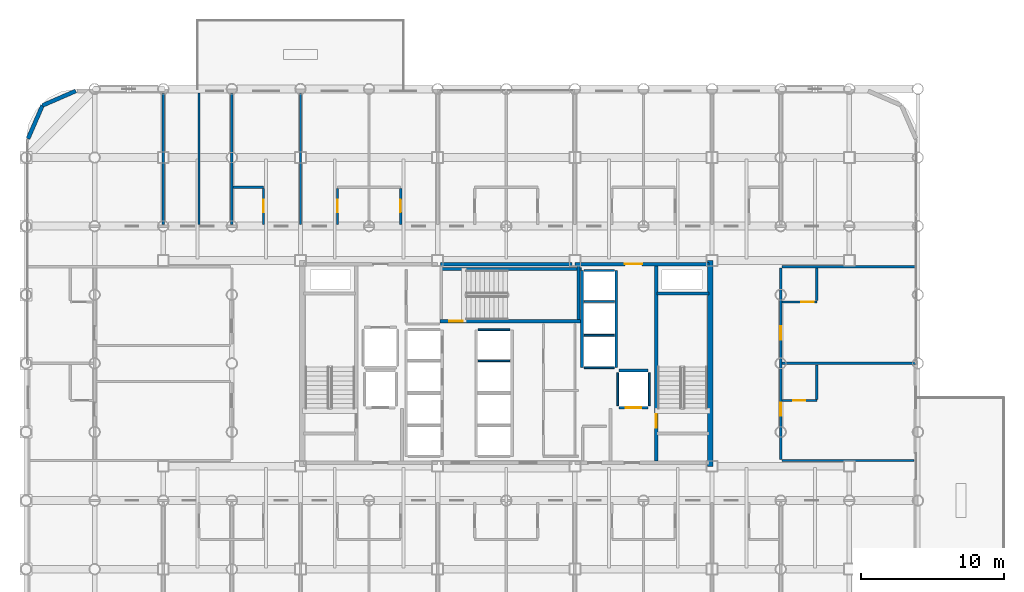
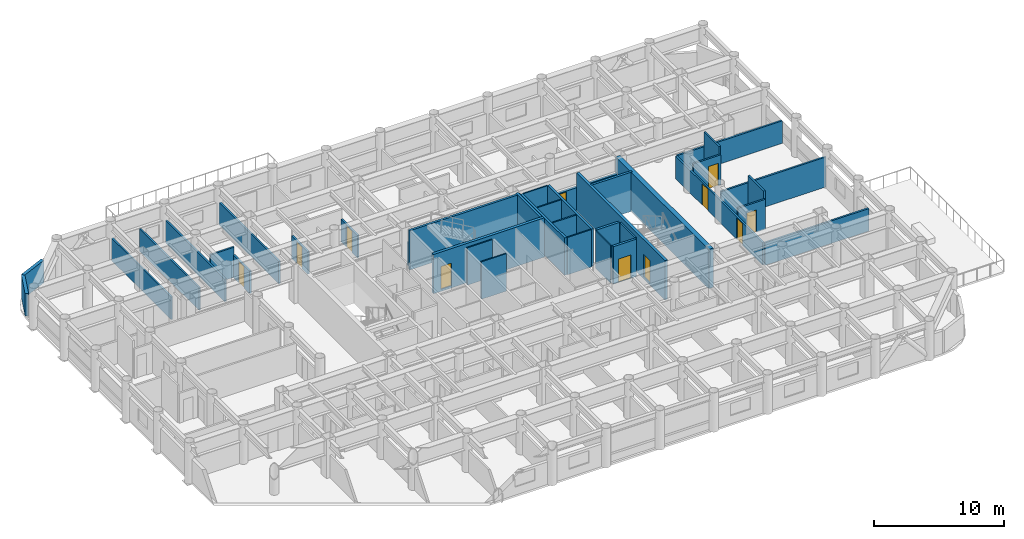
# One storey, part 20 of 24: 38 walls, 11 doors, 11 openings.
"""IFC4 building model written with IfcOpenShell, lengths in metres."""

from ifc_helpers import new_model, si_unit, direction, frame, frame_2d, origin, place, context, subcontext, project, spatial, rectangle, extrude, material, layer, layer_set, type_object, element, fill, save


model = new_model("IFC4")

# Units and contexts
model_context = context("Model", 3, precision=1e-05, world=origin(), true_north=direction((0.0, 1.0)))
body_context = subcontext(model_context, "Body", "Model", "MODEL_VIEW")
ifc_project = project(units=[si_unit("LENGTHUNIT", "METRE"), si_unit("AREAUNIT", "SQUARE_METRE"), si_unit("VOLUMEUNIT", "CUBIC_METRE"), si_unit("PLANEANGLEUNIT", "RADIAN"), si_unit("MASSUNIT", "GRAM", prefix="KILO")], contexts=[model_context])

# Site, building, storey
site_placement = place(None, origin())
site = spatial("IfcSite", under=ifc_project, at=site_placement, CompositionType="ELEMENT")
building_placement = place(site_placement, origin())
building = spatial("IfcBuilding", under=site, at=building_placement, Name="Kallvorn Hotel Tower", CompositionType="ELEMENT")
storey_placement = place(building_placement, frame((0.0, 0.0, 30.0)))
storey = spatial("IfcBuildingStorey", under=building, at=storey_placement, Name="L05", CompositionType="ELEMENT", Elevation=30.0)

# Walls
ifc_material_1 = material(Name="Concrete C50/60", Category="concrete")
ifc_layer_1 = layer(ifc_material_1, 0.39990234375)
ifc_layer_set_1 = layer_set([ifc_layer_1], Name="WL_CORE_400")
wall_type_1 = type_object("IfcWallType", Name="WL_CORE_400", PredefinedType="SHEAR", material=ifc_layer_set_1)
wall_1_placement = place(storey_placement, frame((14.264892578125, -7.199951171875, -0.179931640625), z_axis=(0.0, 0.0, 1.0), x_axis=(0.0, 1.0, 0.0)))
element("IfcWall", 1, at=wall_1_placement, inside=storey, type_object=wall_type_1, Name="L05 Core East Shear Wall", PredefinedType="SHEAR", context=body_context, shape_type="SweptSolid", body=[
    extrude(rectangle(XDim=14.39990234375, YDim=0.39990234375, at=frame_2d((7.199951171875, 0.0))), origin(), (0.0, 0.0, 1.0), 3.699951171875),
])
ifc_material_2 = material(Name="Fire-rated double-layer acoustic gypsum drywall EI 60")
ifc_layer_2 = layer(ifc_material_2, 0.159912109375)
ifc_layer_set_2 = layer_set([ifc_layer_2], Name="WL_DEMISE_160")
wall_type_2 = type_object("IfcWallType", Name="WL_DEMISE_160", PredefinedType="PARTITIONING", material=ifc_layer_set_2)
wall_2_placement = place(storey_placement, frame((19.280029296875, -6.800048828125, 0.0), z_axis=(0.0, 0.0, 1.0), x_axis=(1.0, 0.0, 0.0)))
element("IfcWall", 2, at=wall_2_placement, inside=storey, type_object=wall_type_2, Name="L05 Suite 503 E Loggia King Room Partition", PredefinedType="PARTITIONING", context=body_context, shape_type="SweptSolid", body=[
    extrude(rectangle(XDim=9.22998046875, YDim=0.159912109375, at=frame_2d((4.614990234375, 0.0))), origin(), (0.0, 0.0, 1.0), 2.1201171875),
])

# Wall, opening, door
wall_3_placement = place(storey_placement, frame((19.280029296875, -2.60009765625, 0.0), z_axis=(0.0, 0.0, 1.0), x_axis=(1.0, 0.0, 0.0)))
wall_3 = element("IfcWall", 3, at=wall_3_placement, inside=storey, type_object=wall_type_2, Name="L05 Suite 503 E Loggia King Room Partition", PredefinedType="PARTITIONING", context=body_context, shape_type="SweptSolid", body=[
    extrude(rectangle(XDim=2.449951171875, YDim=0.159912109375, at=frame_2d((1.22509765625, 0.0))), origin(), (0.0, 0.0, 1.0), 2.820068359375),
])
opening_1_placement = place(wall_3_placement, frame((0.794921875, 0.0, 0.0)))
opening_1 = element("IfcOpeningElement", 4, at=opening_1_placement, cuts=wall_3, Name="Opening BD-I", PredefinedType="OPENING", context=body_context, shape_type="SweptSolid", body=[
    extrude(rectangle(XDim=0.860107421875, YDim=2.10009765625, at=frame_2d((0.43017578125, 1.050048828125))), frame((0.0, 0.094970703125, 0.0), z_axis=(0.0, -1.0, 0.0), x_axis=(1.0, 0.0, 0.0)), (0.0, 0.0, 1.0), 0.18994140625),
])
ifc_material_3 = material(Name="Solid-core walnut veneer fire-rated timber door leaf", Category="wood")
door_type_1 = type_object("IfcDoorType", Name="DR_BATH_860x2100", OperationType="NOTDEFINED", PredefinedType="DOOR", material=ifc_material_3)
door_1_placement = place(opening_1_placement, origin())
door_1 = element("IfcDoor", 5, at=door_1_placement, inside=storey, type_object=door_type_1, Name="L05 Suite 503 En-Suite Bathroom Door", OperationType="SINGLE_SWING_RIGHT", OverallHeight=2.10009765625, OverallWidth=0.860107421875, PredefinedType="DOOR", context=body_context, shape_type="SweptSolid", body=[
    extrude(rectangle(XDim=0.860107421875, YDim=2.10009765625, at=frame_2d((0.43017578125, 1.050048828125))), frame((0.0, 0.02490234375, 0.0), z_axis=(0.0, -1.0, 0.0), x_axis=(1.0, 0.0, 0.0)), (0.0, 0.0, 1.0), 0.050048828125),
])
fill(opening_1, door_1)

# Wall
wall_4_placement = place(storey_placement, frame((19.280029296875, 0.0, 0.0), z_axis=(0.0, 0.0, 1.0), x_axis=(1.0, 0.0, 0.0)))
element("IfcWall", 6, at=wall_4_placement, inside=storey, type_object=wall_type_2, Name="L05 Suite 504 E Andean Twin Room Partition", PredefinedType="PARTITIONING", context=body_context, shape_type="SweptSolid", body=[
    extrude(rectangle(XDim=9.349853515625, YDim=0.159912109375, at=frame_2d((4.6748046875, 0.0))), origin(), (0.0, 0.0, 1.0), 2.820068359375),
])

# Wall, opening, door
wall_5_placement = place(storey_placement, frame((19.280029296875, 4.300048828125, 0.0), z_axis=(0.0, 0.0, 1.0), x_axis=(1.0, 0.0, 0.0)))
wall_5 = element("IfcWall", 7, at=wall_5_placement, inside=storey, type_object=wall_type_2, Name="L05 Suite 504 E Andean Twin Room Partition", PredefinedType="PARTITIONING", context=body_context, shape_type="SweptSolid", body=[
    extrude(rectangle(XDim=2.449951171875, YDim=0.159912109375, at=frame_2d((1.22509765625, 0.0))), origin(), (0.0, 0.0, 1.0), 2.820068359375),
])
opening_2_placement = place(wall_5_placement, frame((1.3701171875, 0.0, 0.0)))
opening_2 = element("IfcOpeningElement", 8, at=opening_2_placement, cuts=wall_5, Name="Opening BD-I", PredefinedType="OPENING", context=body_context, shape_type="SweptSolid", body=[
    extrude(rectangle(XDim=0.860107421875, YDim=2.10009765625, at=frame_2d((0.43017578125, 1.050048828125))), frame((0.0, 0.094970703125, 0.0), z_axis=(0.0, -1.0, 0.0), x_axis=(1.0, 0.0, 0.0)), (0.0, 0.0, 1.0), 0.18994140625),
])
door_2_placement = place(opening_2_placement, origin())
door_2 = element("IfcDoor", 9, at=door_2_placement, inside=storey, type_object=door_type_1, Name="L05 Suite 504 En-Suite Bathroom Door", OperationType="SINGLE_SWING_RIGHT", OverallHeight=2.10009765625, OverallWidth=0.860107421875, PredefinedType="DOOR", context=body_context, shape_type="SweptSolid", body=[
    extrude(rectangle(XDim=0.860107421875, YDim=2.10009765625, at=frame_2d((0.43017578125, 1.050048828125))), frame((0.0, 0.02490234375, 0.0), z_axis=(0.0, -1.0, 0.0), x_axis=(1.0, 0.0, 0.0)), (0.0, 0.0, 1.0), 0.050048828125),
])
fill(opening_2, door_2)

# Walls
wall_6_placement = place(storey_placement, frame((19.280029296875, 6.75830078125, 0.0), z_axis=(0.0, 0.0, 1.0), x_axis=(1.0, 0.0, 0.0)))
element("IfcWall", 10, at=wall_6_placement, inside=storey, type_object=wall_type_2, Name="L05 Suite 504 E Andean Twin Room Partition", PredefinedType="PARTITIONING", context=body_context, shape_type="SweptSolid", body=[
    extrude(rectangle(XDim=9.349853515625, YDim=0.159912109375, at=frame_2d((4.6748046875, 0.0))), origin(), (0.0, 0.0, 1.0), 2.1201171875),
])
wall_7_placement = place(storey_placement, frame((-19.1201171875, 12.320068359375, 0.0), z_axis=(0.0, 0.0, 1.0), x_axis=(1.0, 0.0, 0.0)))
element("IfcWall", 11, at=wall_7_placement, inside=storey, type_object=wall_type_2, Name="L05 Suite 514 Standard Twin Room Partition", PredefinedType="PARTITIONING", context=body_context, shape_type="SweptSolid", body=[
    extrude(rectangle(XDim=2.130126953125, YDim=0.159912109375, at=frame_2d((1.06494140625, 0.0))), origin(), (0.0, 0.0, 1.0), 2.820068359375),
])
wall_8_placement = place(storey_placement, frame((-19.199951171875, 9.719970703125, 0.0), z_axis=(0.0, 0.0, 1.0), x_axis=(0.0, 1.0, 0.0)))
element("IfcWall", 12, at=wall_8_placement, inside=storey, type_object=wall_type_2, Name="L05 Suite 514 Standard Twin Room Partition", PredefinedType="PARTITIONING", context=body_context, shape_type="SweptSolid", body=[
    extrude(rectangle(XDim=9.18994140625, YDim=0.159912109375, at=frame_2d((4.594970703125, 0.0))), origin(), (0.0, 0.0, 1.0), 2.1201171875),
])

# Wall, opening, door
wall_9_placement = place(storey_placement, frame((-16.989990234375, 9.719970703125, 0.0), z_axis=(0.0, 0.0, 1.0), x_axis=(0.0, 1.0, 0.0)))
wall_9 = element("IfcWall", 13, at=wall_9_placement, inside=storey, type_object=wall_type_2, Name="L05 Suite 514 Standard Twin Room Partition", PredefinedType="PARTITIONING", context=body_context, shape_type="SweptSolid", body=[
    extrude(rectangle(XDim=2.51513671875, YDim=0.159912109375, at=frame_2d((1.257568359375, 0.0))), origin(), (0.0, 0.0, 1.0), 2.1201171875),
])
opening_3_placement = place(wall_9_placement, frame((0.8701171875, 0.0, 0.0)))
opening_3 = element("IfcOpeningElement", 14, at=opening_3_placement, cuts=wall_9, Name="Opening BD-IA", PredefinedType="OPENING", context=body_context, shape_type="SweptSolid", body=[
    extrude(rectangle(XDim=0.860107421875, YDim=2.02001953125, at=frame_2d((0.43017578125, 1.010009765625))), frame((0.0, 0.094970703125, 0.0), z_axis=(0.0, -1.0, 0.0), x_axis=(1.0, 0.0, 0.0)), (0.0, 0.0, 1.0), 0.18994140625),
])
ifc_material_4 = material(Name="Solid-core walnut veneer fire-rated timber door leaf", Category="wood")
door_type_2 = type_object("IfcDoorType", Name="DR_BATH_860x2020", OperationType="NOTDEFINED", PredefinedType="DOOR", material=ifc_material_4)
door_3_placement = place(opening_3_placement, origin())
door_3 = element("IfcDoor", 15, at=door_3_placement, inside=storey, type_object=door_type_2, Name="L05 Suite 514 En-Suite Bathroom Door", OperationType="SINGLE_SWING_RIGHT", OverallHeight=2.02001953125, OverallWidth=0.860107421875, PredefinedType="DOOR", context=body_context, shape_type="SweptSolid", body=[
    extrude(rectangle(XDim=0.860107421875, YDim=2.02001953125, at=frame_2d((0.43017578125, 1.010009765625))), frame((0.0, 0.02490234375, 0.0), z_axis=(0.0, -1.0, 0.0), x_axis=(1.0, 0.0, 0.0)), (0.0, 0.0, 1.0), 0.050048828125),
])
fill(opening_3, door_3)

# Wall
wall_10_placement = place(storey_placement, frame((-14.39990234375, 9.719970703125, 0.0), z_axis=(0.0, 0.0, 1.0), x_axis=(0.0, 1.0, 0.0)))
element("IfcWall", 16, at=wall_10_placement, inside=storey, type_object=wall_type_2, Name="L05 Suite 514 Standard Twin Room Partition", PredefinedType="PARTITIONING", context=body_context, shape_type="SweptSolid", body=[
    extrude(rectangle(XDim=9.18994140625, YDim=0.159912109375, at=frame_2d((4.594970703125, 0.0))), origin(), (0.0, 0.0, 1.0), 2.1201171875),
])

# Wall, opening, door
wall_11_placement = place(storey_placement, frame((-11.81005859375, 9.719970703125, 0.0), z_axis=(0.0, 0.0, 1.0), x_axis=(0.0, 1.0, 0.0)))
wall_11 = element("IfcWall", 17, at=wall_11_placement, inside=storey, type_object=wall_type_2, Name="L05 Suite 515 Standard Twin Room Partition", PredefinedType="PARTITIONING", context=body_context, shape_type="SweptSolid", body=[
    extrude(rectangle(XDim=2.51513671875, YDim=0.159912109375, at=frame_2d((1.257568359375, 0.0))), origin(), (0.0, 0.0, 1.0), 2.1201171875),
])
opening_4_placement = place(wall_11_placement, frame((0.8701171875, 0.0, 0.0)))
opening_4 = element("IfcOpeningElement", 18, at=opening_4_placement, cuts=wall_11, Name="Opening BD-IA", PredefinedType="OPENING", context=body_context, shape_type="SweptSolid", body=[
    extrude(rectangle(XDim=0.860107421875, YDim=2.02001953125, at=frame_2d((0.43017578125, 1.010009765625))), frame((0.0, 0.094970703125, 0.0), z_axis=(0.0, -1.0, 0.0), x_axis=(1.0, 0.0, 0.0)), (0.0, 0.0, 1.0), 0.18994140625),
])
door_4_placement = place(opening_4_placement, origin())
door_4 = element("IfcDoor", 19, at=door_4_placement, inside=storey, type_object=door_type_2, Name="L05 Suite 515 En-Suite Bathroom Door", OperationType="SINGLE_SWING_RIGHT", OverallHeight=2.02001953125, OverallWidth=0.860107421875, PredefinedType="DOOR", context=body_context, shape_type="SweptSolid", body=[
    extrude(rectangle(XDim=0.860107421875, YDim=2.02001953125, at=frame_2d((0.43017578125, 1.010009765625))), frame((0.0, 0.02490234375, 0.0), z_axis=(0.0, -1.0, 0.0), x_axis=(1.0, 0.0, 0.0)), (0.0, 0.0, 1.0), 0.050048828125),
])
fill(opening_4, door_4)

wall_12_placement = place(storey_placement, frame((-7.389892578125, 9.719970703125, 0.0), z_axis=(0.0, 0.0, 1.0), x_axis=(0.0, 1.0, 0.0)))
wall_12 = element("IfcWall", 20, at=wall_12_placement, inside=storey, type_object=wall_type_2, Name="L05 Suite 516 Standard Twin Room Partition", PredefinedType="PARTITIONING", context=body_context, shape_type="SweptSolid", body=[
    extrude(rectangle(XDim=2.51513671875, YDim=0.159912109375, at=frame_2d((1.257568359375, 0.0))), origin(), (0.0, 0.0, 1.0), 2.1201171875),
])
opening_5_placement = place(wall_12_placement, frame((0.8701171875, 0.0, 0.0)))
opening_5 = element("IfcOpeningElement", 21, at=opening_5_placement, cuts=wall_12, Name="Opening BD-IA", PredefinedType="OPENING", context=body_context, shape_type="SweptSolid", body=[
    extrude(rectangle(XDim=0.860107421875, YDim=2.02001953125, at=frame_2d((0.43017578125, 1.010009765625))), frame((0.0, 0.094970703125, 0.0), z_axis=(0.0, -1.0, 0.0), x_axis=(1.0, 0.0, 0.0)), (0.0, 0.0, 1.0), 0.18994140625),
])
door_5_placement = place(opening_5_placement, origin())
door_5 = element("IfcDoor", 22, at=door_5_placement, inside=storey, type_object=door_type_2, Name="L05 Suite 516 En-Suite Bathroom Door", OperationType="SINGLE_SWING_LEFT", OverallHeight=2.02001953125, OverallWidth=0.860107421875, PredefinedType="DOOR", context=body_context, shape_type="SweptSolid", body=[
    extrude(rectangle(XDim=0.860107421875, YDim=2.02001953125, at=frame_2d((0.43017578125, 1.010009765625))), frame((0.0, 0.02490234375, 0.0), z_axis=(0.0, -1.0, 0.0), x_axis=(1.0, 0.0, 0.0)), (0.0, 0.0, 1.0), 0.050048828125),
])
fill(opening_5, door_5)

# Wall, openings, doors
wall_13_placement = place(storey_placement, frame((19.199951171875, -6.715087890625, 0.0), z_axis=(0.0, 0.0, 1.0), x_axis=(0.0, 1.0, 0.0)))
wall_13 = element("IfcWall", 23, at=wall_13_placement, inside=storey, type_object=wall_type_2, Name="L05 Suite 503 E Loggia King Room Partition", PredefinedType="PARTITIONING", context=body_context, shape_type="SweptSolid", body=[
    extrude(rectangle(XDim=13.388427734375, YDim=0.159912109375, at=frame_2d((6.6943359375, 0.0))), origin(), (0.0, 0.0, 1.0), 2.1201171875),
])
opening_6_placement = place(wall_13_placement, frame((3.034912109375, 0.0, 0.0)))
opening_6 = element("IfcOpeningElement", 24, at=opening_6_placement, cuts=wall_13, Name="Opening GD1A", PredefinedType="OPENING", context=body_context, shape_type="SweptSolid", body=[
    extrude(rectangle(XDim=0.919921875, YDim=2.02001953125, at=frame_2d((0.4599609375, 1.010009765625))), frame((0.0, 0.094970703125, 0.0), z_axis=(0.0, -1.0, 0.0), x_axis=(1.0, 0.0, 0.0)), (0.0, 0.0, 1.0), 0.18994140625),
])
opening_7_placement = place(wall_13_placement, frame((8.385009765625, 0.0, 0.0)))
opening_7 = element("IfcOpeningElement", 25, at=opening_7_placement, cuts=wall_13, Name="Opening GD1A", PredefinedType="OPENING", context=body_context, shape_type="SweptSolid", body=[
    extrude(rectangle(XDim=0.919921875, YDim=2.02001953125, at=frame_2d((0.4599609375, 1.010009765625))), frame((0.0, 0.094970703125, 0.0), z_axis=(0.0, -1.0, 0.0), x_axis=(1.0, 0.0, 0.0)), (0.0, 0.0, 1.0), 0.18994140625),
])
ifc_material_5 = material(Name="Solid-core walnut veneer fire-rated timber door leaf", Category="wood")
door_type_3 = type_object("IfcDoorType", Name="DR_GUEST_920x2020", OperationType="NOTDEFINED", PredefinedType="DOOR", material=ifc_material_5)
door_6_placement = place(opening_6_placement, origin())
door_6 = element("IfcDoor", 26, at=door_6_placement, inside=storey, type_object=door_type_3, Name="L05 Suite 503 E Loggia King Room Door", OperationType="SINGLE_SWING_RIGHT", OverallHeight=2.02001953125, OverallWidth=0.919921875, PredefinedType="DOOR", context=body_context, shape_type="SweptSolid", body=[
    extrude(rectangle(XDim=0.919921875, YDim=2.02001953125, at=frame_2d((0.4599609375, 1.010009765625))), frame((0.0, 0.02490234375, 0.0), z_axis=(0.0, -1.0, 0.0), x_axis=(1.0, 0.0, 0.0)), (0.0, 0.0, 1.0), 0.050048828125),
])
fill(opening_6, door_6)
door_7_placement = place(opening_7_placement, origin())
door_7 = element("IfcDoor", 27, at=door_7_placement, inside=storey, type_object=door_type_3, Name="L05 Suite 504 E Andean Twin Room Door", OperationType="SINGLE_SWING_LEFT", OverallHeight=2.02001953125, OverallWidth=0.919921875, PredefinedType="DOOR", context=body_context, shape_type="SweptSolid", body=[
    extrude(rectangle(XDim=0.919921875, YDim=2.02001953125, at=frame_2d((0.4599609375, 1.010009765625))), frame((0.0, 0.02490234375, 0.0), z_axis=(0.0, -1.0, 0.0), x_axis=(1.0, 0.0, 0.0)), (0.0, 0.0, 1.0), 0.050048828125),
])
fill(opening_7, door_7)

# Walls
wall_14_placement = place(storey_placement, frame((21.72998046875, -2.514892578125, 0.0), z_axis=(0.0, 0.0, 1.0), x_axis=(0.0, 1.0, 0.0)))
element("IfcWall", 28, at=wall_14_placement, inside=storey, type_object=wall_type_2, Name="L05 Suite 503 E Loggia King Room Partition", PredefinedType="PARTITIONING", context=body_context, shape_type="SweptSolid", body=[
    extrude(rectangle(XDim=2.414794921875, YDim=0.159912109375, at=frame_2d((1.20751953125, 0.0))), origin(), (0.0, 0.0, 1.0), 3.52001953125),
])
wall_15_placement = place(storey_placement, frame((21.72998046875, 4.385009765625, 0.0), z_axis=(0.0, 0.0, 1.0), x_axis=(0.0, 1.0, 0.0)))
element("IfcWall", 29, at=wall_15_placement, inside=storey, type_object=wall_type_2, Name="L05 Suite 504 E Andean Twin Room Partition", PredefinedType="PARTITIONING", context=body_context, shape_type="SweptSolid", body=[
    extrude(rectangle(XDim=2.288330078125, YDim=0.159912109375, at=frame_2d((1.14404296875, 0.0))), origin(), (0.0, 0.0, 1.0), 3.52001953125),
])
ifc_material_6 = material(Name="Precast basalt-clad insulated concrete wall C40/50", Category="masonry")
ifc_layer_3 = layer(ifc_material_6, 0.280029296875)
ifc_layer_set_3 = layer_set([ifc_layer_3], Name="WL_EXT_LOGGIA_280")
wall_type_3 = type_object("IfcWallType", Name="WL_EXT_LOGGIA_280", PredefinedType="SOLIDWALL", material=ifc_layer_set_3)
wall_16_placement = place(storey_placement, frame((-30.120849609375, 19.057861328125, 0.0), z_axis=(0.0, 0.0, 1.0), x_axis=(-0.917060872934, -0.398747232384, 0.0)))
element("IfcWall", 30, at=wall_16_placement, inside=storey, type_object=wall_type_3, Name="L05 Rounded Corner Exterior Wall NW1", PredefinedType="SOLIDWALL", context=body_context, shape_type="SweptSolid", body=[
    extrude(rectangle(XDim=2.5361328125, YDim=0.280029296875, at=frame_2d((1.26806640625, 0.0))), origin(), (0.0, 0.0, 1.0), 2.1201171875),
])
wall_17_placement = place(storey_placement, frame((-32.446533203125, 18.046630859375, 0.0), z_axis=(0.0, 0.0, 1.0), x_axis=(-0.398792985289, -0.917040977756, 0.0)))
element("IfcWall", 31, at=wall_17_placement, inside=storey, type_object=wall_type_3, Name="L05 Rounded Corner Exterior Wall NW2", PredefinedType="SOLIDWALL", context=body_context, shape_type="SweptSolid", body=[
    extrude(rectangle(XDim=2.536376953125, YDim=0.280029296875, at=frame_2d((1.26806640625, 0.0))), origin(), (0.0, 0.0, 1.0), 2.1201171875),
])
ifc_material_7 = material(Name="Concrete C40/50", Category="concrete")
ifc_layer_4 = layer(ifc_material_7, 0.199951171875)
ifc_layer_set_4 = layer_set([ifc_layer_4], Name="WL_HOIST_200")
wall_type_4 = type_object("IfcWallType", Name="WL_HOIST_200", PredefinedType="SOLIDWALL", material=ifc_layer_set_4)
wall_18_placement = place(storey_placement, frame((10.550048828125, 4.89990234375, -0.179931640625), z_axis=(0.0, 0.0, 1.0), x_axis=(1.0, 0.0, 0.0)))
element("IfcWall", 32, at=wall_18_placement, inside=storey, type_object=wall_type_4, Name="L05 Stair ST2 North Wall", PredefinedType="SOLIDWALL", context=body_context, shape_type="SweptSolid", body=[
    extrude(rectangle(XDim=3.64990234375, YDim=0.199951171875, at=frame_2d((1.824951171875, 0.0))), origin(), (0.0, 0.0, 1.0), 3.699951171875),
])
wall_19_placement = place(storey_placement, frame((-4.64990234375, 6.610107421875, -0.179931640625), z_axis=(0.0, 0.0, 1.0), x_axis=(1.0, 0.0, 0.0)))
element("IfcWall", 33, at=wall_19_placement, inside=storey, type_object=wall_type_4, Name="L05 Stair ST3 Shaft North Wall", PredefinedType="SOLIDWALL", context=body_context, shape_type="SweptSolid", body=[
    extrude(rectangle(XDim=9.89990234375, YDim=0.199951171875, at=frame_2d((4.949951171875, 0.0))), origin(), (0.0, 0.0, 1.0), 3.699951171875),
])
wall_20_placement = place(storey_placement, frame((5.06005859375, 3.080078125, -0.179931640625), z_axis=(0.0, 0.0, 1.0), x_axis=(0.0, 1.0, 0.0)))
element("IfcWall", 34, at=wall_20_placement, inside=storey, type_object=wall_type_4, Name="L05 Stair ST3 East Wall", PredefinedType="SOLIDWALL", context=body_context, shape_type="SweptSolid", body=[
    extrude(rectangle(XDim=3.739990234375, YDim=0.199951171875, at=frame_2d((1.8701171875, 0.0))), origin(), (0.0, 0.0, 1.0), 3.699951171875),
])
for number, where, z_axis, x_axis, name in (
    (35, (7.699951171875, -0.300048828125, 0.0), (0.0, 0.0, 1.0), (0.0, 1.0, 0.0), "L05 Lift Bank OBS Landing Wall"),
    (36, (5.300048828125, -0.300048828125, 0.0), (0.0, 0.0, 1.0), (0.0, 1.0, 0.0), "L05 Lift Bank OBS Rear Shaft Wall"),
):
    element("IfcWall", number, at=place(storey_placement, frame(where, z_axis=z_axis, x_axis=x_axis)), inside=storey, type_object=wall_type_4, Name=name, PredefinedType="SOLIDWALL", context=body_context, shape_type="SweptSolid", body=[
        extrude(rectangle(XDim=6.800048828125, YDim=0.199951171875, at=frame_2d((3.39990234375, 0.0))), origin(), (0.0, 0.0, 1.0), 3.52001953125),
    ])

# Wall, opening, door
wall_21_placement = place(storey_placement, frame((7.8798828125, -3.10009765625, 0.0), z_axis=(0.0, 0.0, 1.0), x_axis=(1.0, 0.0, 0.0)))
wall_21 = element("IfcWall", 37, at=wall_21_placement, inside=storey, type_object=wall_type_4, Name="L05 FL-2 Landing Wall", PredefinedType="SOLIDWALL", context=body_context, shape_type="SweptSolid", body=[
    extrude(rectangle(XDim=2.0400390625, YDim=0.199951171875, at=frame_2d((1.02001953125, 0.0))), origin(), (0.0, 0.0, 1.0), 3.52001953125),
])
opening_8_placement = place(wall_21_placement, frame((0.469970703125, 0.0, 0.0)))
opening_8 = element("IfcOpeningElement", 38, at=opening_8_placement, cuts=wall_21, Name="Opening LD-FL-2", PredefinedType="OPENING", context=body_context, shape_type="SweptSolid", body=[
    extrude(rectangle(XDim=1.10009765625, YDim=2.199951171875, at=frame_2d((0.550048828125, 1.10009765625))), frame((0.0, 0.114990234375, 0.0), z_axis=(0.0, -1.0, 0.0), x_axis=(1.0, 0.0, 0.0)), (0.0, 0.0, 1.0), 0.22998046875),
])
ifc_material_8 = material(Name="Brushed stainless-steel automatic sliding lift landing door", Category="steel")
door_type_4 = type_object("IfcDoorType", Name="LD_PASS_1100x2200", OperationType="SLIDING_TO_LEFT", PredefinedType="DOOR", material=ifc_material_8)
door_8_placement = place(opening_8_placement, origin())
door_8 = element("IfcDoor", 39, at=door_8_placement, inside=storey, type_object=door_type_4, Name="L05 Lift Landing Sliding Door LD-FL-2", OperationType="SLIDING_TO_LEFT", OverallHeight=2.199951171875, OverallWidth=1.10009765625, PredefinedType="DOOR", context=body_context, shape_type="SweptSolid", body=[
    extrude(rectangle(XDim=1.10009765625, YDim=2.199951171875, at=frame_2d((0.550048828125, 1.10009765625))), frame((0.0, 0.02490234375, 0.0), z_axis=(0.0, -1.0, 0.0), x_axis=(1.0, 0.0, 0.0)), (0.0, 0.0, 1.0), 0.050048828125),
])
fill(opening_8, door_8)

# Walls
wall_22_placement = place(storey_placement, frame((7.8798828125, -0.5, 0.0), z_axis=(0.0, 0.0, 1.0), x_axis=(1.0, 0.0, 0.0)))
element("IfcWall", 40, at=wall_22_placement, inside=storey, type_object=wall_type_4, Name="L05 FL-2 Rear Shaft Wall", PredefinedType="SOLIDWALL", context=body_context, shape_type="SweptSolid", body=[
    extrude(rectangle(XDim=2.0400390625, YDim=0.199951171875, at=frame_2d((1.02001953125, 0.0))), origin(), (0.0, 0.0, 1.0), 3.52001953125),
])
ifc_material_9 = material(Name="Fire-rated double-layer acoustic gypsum drywall EI 60")
ifc_layer_5 = layer(ifc_material_9, 0.1201171875)
ifc_layer_set_5 = layer_set([ifc_layer_5], Name="WL_INT_120")
wall_type_5 = type_object("IfcWallType", Name="WL_INT_120", PredefinedType="PARTITIONING", material=ifc_layer_set_5)
for number, where, z_axis, x_axis, name in (
    (41, (-1.9599609375, 0.175048828125, 0.0), (0.0, 0.0, 1.0), (1.0, 0.0, 0.0), "L05 PL-07 Hoistway Divider"),
    (42, (-1.9599609375, 2.35009765625, 0.0), (0.0, 0.0, 1.0), (1.0, 0.0, 0.0), "L05 PL-08 Hoistway Divider"),
):
    element("IfcWall", number, at=place(storey_placement, frame(where, z_axis=z_axis, x_axis=x_axis)), inside=storey, type_object=wall_type_5, Name=name, PredefinedType="PARTITIONING", context=body_context, shape_type="SweptSolid", body=[
        extrude(rectangle(XDim=2.219970703125, YDim=0.1201171875, at=frame_2d((1.10986328125, 0.0))), origin(), (0.0, 0.0, 1.0), 3.52001953125),
    ])
for number, where, z_axis, x_axis, name in (
    (43, (5.43994140625, -0.300048828125, 0.0), (0.0, 0.0, 1.0), (1.0, 0.0, 0.0), "L05 Lift Bank OBS South Closure Wall"),
    (44, (5.43994140625, 1.97509765625, 0.0), (0.0, 0.0, 1.0), (1.0, 0.0, 0.0), "L05 OB-01 Hoistway Divider"),
    (45, (5.43994140625, 4.324951171875, 0.0), (0.0, 0.0, 1.0), (1.0, 0.0, 0.0), "L05 OB-02 Hoistway Divider"),
    (46, (5.43994140625, 6.5, 0.0), (0.0, 0.0, 1.0), (1.0, 0.0, 0.0), "L05 OB-03 Hoistway Divider"),
):
    element("IfcWall", number, at=place(storey_placement, frame(where, z_axis=z_axis, x_axis=x_axis)), inside=storey, type_object=wall_type_5, Name=name, PredefinedType="PARTITIONING", context=body_context, shape_type="SweptSolid", body=[
        extrude(rectangle(XDim=2.1201171875, YDim=0.1201171875, at=frame_2d((1.06005859375, 0.0))), origin(), (0.0, 0.0, 1.0), 3.52001953125),
    ])
for number, where, z_axis, x_axis, name in (
    (47, (7.800048828125, -2.9599609375, 0.0), (0.0, 0.0, 1.0), (0.0, 1.0, 0.0), "L05 FL-2 West Shaft Wall"),
    (48, (10.0, -2.9599609375, 0.0), (0.0, 0.0, 1.0), (0.0, 1.0, 0.0), "L05 FL-2 East Shaft Wall"),
):
    element("IfcWall", number, at=place(storey_placement, frame(where, z_axis=z_axis, x_axis=x_axis)), inside=storey, type_object=wall_type_5, Name=name, PredefinedType="PARTITIONING", context=body_context, shape_type="SweptSolid", body=[
        extrude(rectangle(XDim=2.320068359375, YDim=0.1201171875, at=frame_2d((1.16015625, 0.0))), origin(), (0.0, 0.0, 1.0), 3.52001953125),
    ])
ifc_material_10 = material(Name="Fire-rated double-layer acoustic gypsum drywall EI 60")
ifc_layer_6 = layer(ifc_material_10, 0.14990234375)
ifc_layer_set_6 = layer_set([ifc_layer_6], Name="WL_PART_150")
wall_type_6 = type_object("IfcWallType", Name="WL_PART_150", PredefinedType="PARTITIONING", material=ifc_layer_set_6)
for number, where, z_axis, x_axis, name in (
    (49, (-24.0, 9.719970703125, 0.0), (0.0, 0.0, 1.0), (0.0, 1.0, 0.0), "L05 Housekeeping and Linen Room Partition"),
    (50, (-21.5048828125, 9.719970703125, 0.0), (0.0, 0.0, 1.0), (0.0, 1.0, 0.0), "L05 Guest Tea and Refreshment Bar Partition"),
):
    element("IfcWall", number, at=place(storey_placement, frame(where, z_axis=z_axis, x_axis=x_axis)), inside=storey, type_object=wall_type_6, Name=name, PredefinedType="PARTITIONING", context=body_context, shape_type="SweptSolid", body=[
        extrude(rectangle(XDim=9.18994140625, YDim=0.14990234375, at=frame_2d((4.594970703125, 0.0))), origin(), (0.0, 0.0, 1.0), 2.1201171875),
    ])
ifc_material_11 = material(Name="Concrete C40/50", Category="concrete")
ifc_layer_7 = layer(ifc_material_11, 0.25)
ifc_layer_set_7 = layer_set([ifc_layer_7], Name="WL_SHAFT_250")
wall_type_7 = type_object("IfcWallType", Name="WL_SHAFT_250", PredefinedType="SOLIDWALL", material=ifc_layer_set_7)
wall_23_placement = place(storey_placement, frame((-4.60009765625, 6.949951171875, 0.0), z_axis=(0.0, 0.0, 1.0), x_axis=(1.0, 0.0, 0.0)))
element("IfcWall", 51, at=wall_23_placement, inside=storey, type_object=wall_type_7, Name="L05 Core North-Central Wall", PredefinedType="SOLIDWALL", context=body_context, shape_type="SweptSolid", body=[
    extrude(rectangle(XDim=9.2001953125, YDim=0.25, at=frame_2d((4.60009765625, 0.0))), origin(), (0.0, 0.0, 1.0), 2.1201171875),
])

# Wall, opening, door
wall_24_placement = place(storey_placement, frame((4.800048828125, 6.949951171875, 0.0), z_axis=(0.0, 0.0, 1.0), x_axis=(1.0, 0.0, 0.0)))
wall_24 = element("IfcWall", 52, at=wall_24_placement, inside=storey, type_object=wall_type_7, Name="L05 Core North-East Wall", PredefinedType="SOLIDWALL", context=body_context, shape_type="SweptSolid", body=[
    extrude(rectangle(XDim=9.39990234375, YDim=0.25, at=frame_2d((4.699951171875, 0.0))), origin(), (0.0, 0.0, 1.0), 2.1201171875),
])
opening_9_placement = place(wall_24_placement, frame((3.5, 0.0, 0.0)))
opening_9 = element("IfcOpeningElement", 53, at=opening_9_placement, cuts=wall_24, Name="Opening FD2A", PredefinedType="OPENING", context=body_context, shape_type="SweptSolid", body=[
    extrude(rectangle(XDim=1.199951171875, YDim=2.02001953125, at=frame_2d((0.60009765625, 1.010009765625))), frame((0.0, 0.139892578125, 0.0), z_axis=(0.0, -1.0, 0.0), x_axis=(1.0, 0.0, 0.0)), (0.0, 0.0, 1.0), 0.280029296875),
])
ifc_material_12 = material(Name="Galvanised painted steel fire-rated door assembly", Category="steel")
door_type_5 = type_object("IfcDoorType", Name="DR_LOBBY_1200x2020", OperationType="DOUBLE_DOOR_SINGLE_SWING", PredefinedType="DOOR", material=ifc_material_12)
door_9_placement = place(opening_9_placement, origin())
door_9 = element("IfcDoor", 54, at=door_9_placement, inside=storey, type_object=door_type_5, Name="L05 Observatory Shuttle Lobby Door", OperationType="DOUBLE_DOOR_SINGLE_SWING", OverallHeight=2.02001953125, OverallWidth=1.199951171875, PredefinedType="DOOR", context=body_context, shape_type="SweptSolid", body=[
    extrude(rectangle(XDim=1.199951171875, YDim=2.02001953125, at=frame_2d((0.60009765625, 1.010009765625))), frame((0.0, 0.02490234375, 0.0), z_axis=(0.0, -1.0, 0.0), x_axis=(1.0, 0.0, 0.0)), (0.0, 0.0, 1.0), 0.050048828125),
])
fill(opening_9, door_9)

wall_25_placement = place(storey_placement, frame((10.5, -6.820068359375, -0.179931640625), z_axis=(0.0, 0.0, 1.0), x_axis=(0.0, 1.0, 0.0)))
wall_25 = element("IfcWall", 55, at=wall_25_placement, inside=storey, type_object=wall_type_7, Name="L05 Stair ST2 Shaft Wall", PredefinedType="SOLIDWALL", context=body_context, shape_type="SweptSolid", body=[
    extrude(rectangle(XDim=13.64013671875, YDim=0.25, at=frame_2d((6.820068359375, 0.0))), origin(), (0.0, 0.0, 1.0), 3.699951171875),
])
opening_10_placement = place(wall_25_placement, frame((2.320068359375, 0.0, 0.179931640625)))
opening_10 = element("IfcOpeningElement", 56, at=opening_10_placement, cuts=wall_25, Name="Opening SD1", PredefinedType="OPENING", context=body_context, shape_type="SweptSolid", body=[
    extrude(rectangle(XDim=0.949951171875, YDim=2.14990234375, at=frame_2d((0.47509765625, 1.074951171875))), frame((0.0, 0.139892578125, 0.0), z_axis=(0.0, -1.0, 0.0), x_axis=(1.0, 0.0, 0.0)), (0.0, 0.0, 1.0), 0.280029296875),
])
ifc_material_13 = material(Name="Galvanised painted steel fire-rated door assembly", Category="steel")
door_type_6 = type_object("IfcDoorType", Name="DR_STAIR_950x2150", OperationType="NOTDEFINED", PredefinedType="DOOR", material=ifc_material_13)
door_10_placement = place(opening_10_placement, origin())
door_10 = element("IfcDoor", 57, at=door_10_placement, inside=storey, type_object=door_type_6, Name="L05 Exit Stair ST2 Fire Door", OperationType="SINGLE_SWING_LEFT", OverallHeight=2.14990234375, OverallWidth=0.949951171875, PredefinedType="DOOR", context=body_context, shape_type="SweptSolid", body=[
    extrude(rectangle(XDim=0.949951171875, YDim=2.14990234375, at=frame_2d((0.47509765625, 1.074951171875))), frame((0.0, 0.02490234375, 0.0), z_axis=(0.0, -1.0, 0.0), x_axis=(1.0, 0.0, 0.0)), (0.0, 0.0, 1.0), 0.050048828125),
])
fill(opening_10, door_10)

wall_26_placement = place(storey_placement, frame((-4.64990234375, 2.949951171875, -0.179931640625), z_axis=(0.0, 0.0, 1.0), x_axis=(1.0, 0.0, 0.0)))
wall_26 = element("IfcWall", 58, at=wall_26_placement, inside=storey, type_object=wall_type_7, Name="L05 Stair ST3 Shaft South Wall", PredefinedType="SOLIDWALL", context=body_context, shape_type="SweptSolid", body=[
    extrude(rectangle(XDim=9.89990234375, YDim=0.25, at=frame_2d((4.949951171875, 0.0))), origin(), (0.0, 0.0, 1.0), 3.699951171875),
])
opening_11_placement = place(wall_26_placement, frame((0.64990234375, 0.0, 0.179931640625)))
opening_11 = element("IfcOpeningElement", 59, at=opening_11_placement, cuts=wall_26, Name="Opening SD1", PredefinedType="OPENING", context=body_context, shape_type="SweptSolid", body=[
    extrude(rectangle(XDim=0.949951171875, YDim=2.14990234375, at=frame_2d((0.47509765625, 1.074951171875))), frame((0.0, 0.139892578125, 0.0), z_axis=(0.0, -1.0, 0.0), x_axis=(1.0, 0.0, 0.0)), (0.0, 0.0, 1.0), 0.280029296875),
])
door_11_placement = place(opening_11_placement, origin())
door_11 = element("IfcDoor", 60, at=door_11_placement, inside=storey, type_object=door_type_6, Name="L05 Exit Stair ST3 Fire Door", OperationType="SINGLE_SWING_LEFT", OverallHeight=2.14990234375, OverallWidth=0.949951171875, PredefinedType="DOOR", context=body_context, shape_type="SweptSolid", body=[
    extrude(rectangle(XDim=0.949951171875, YDim=2.14990234375, at=frame_2d((0.47509765625, 1.074951171875))), frame((0.0, 0.02490234375, 0.0), z_axis=(0.0, -1.0, 0.0), x_axis=(1.0, 0.0, 0.0)), (0.0, 0.0, 1.0), 0.050048828125),
])
fill(opening_11, door_11)

save(model, "model.ifc")
